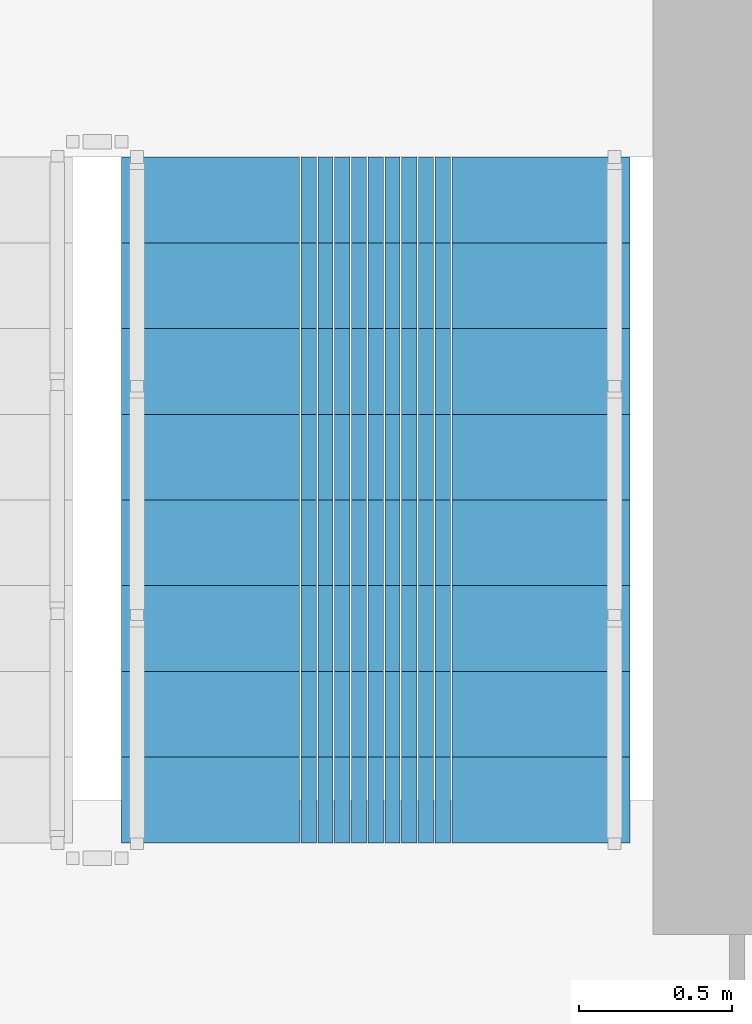
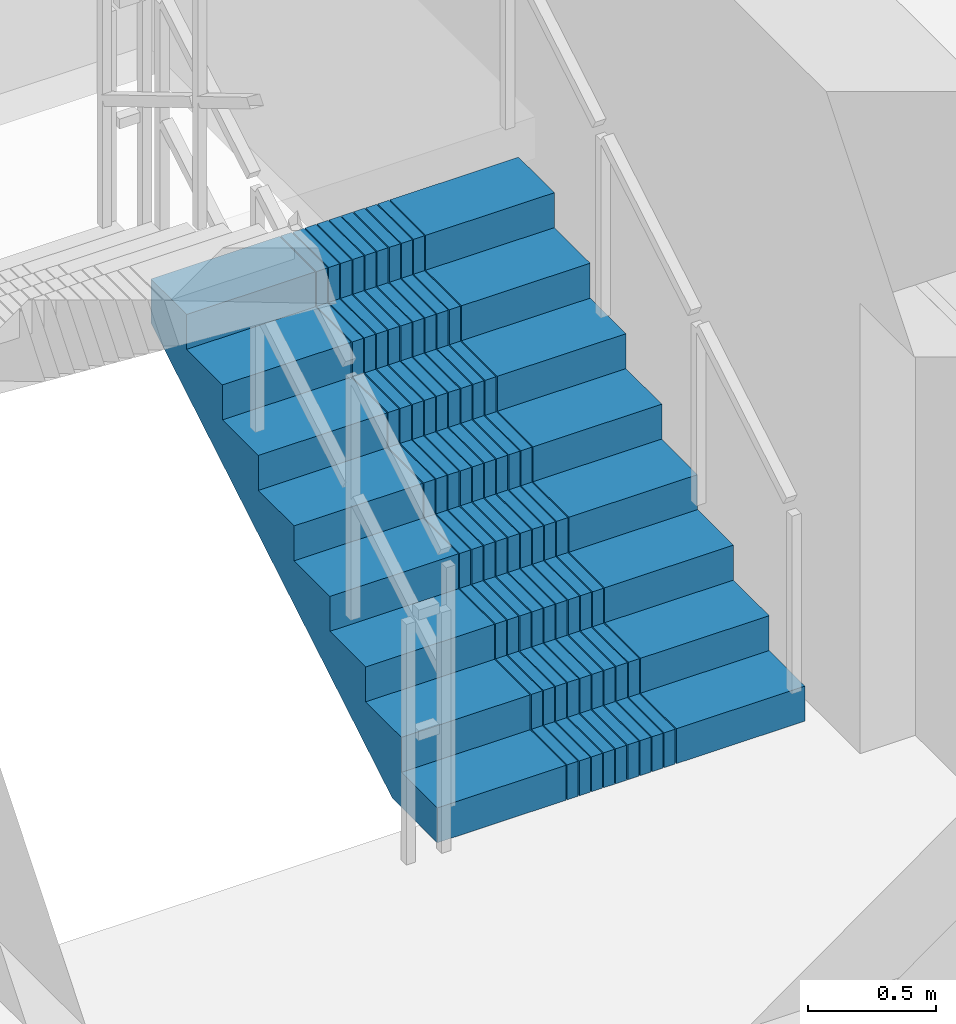
# One storey, part 22 of 26: 1 stair flight, 1 element without a shape of its own.
"""IFC4 building model written with IfcOpenShell, lengths in metres."""

from ifc_helpers import new_model, si_unit, direction, frame, origin, place, context, subcontext, project, spatial, polyline, outline, extrude, material, type_object, element, aggregate, save


model = new_model("IFC4")

# Units and contexts
model_context = context("Model", 3, precision=1e-05, world=origin(), true_north=direction((0.0, 1.0)))
body_context = subcontext(model_context, "Body", "Model", "MODEL_VIEW")
ifc_project = project(units=[si_unit("LENGTHUNIT", "METRE"), si_unit("AREAUNIT", "SQUARE_METRE"), si_unit("VOLUMEUNIT", "CUBIC_METRE"), si_unit("PLANEANGLEUNIT", "RADIAN"), si_unit("MASSUNIT", "GRAM", prefix="KILO")], contexts=[model_context])

# Site, building, storey
site_placement = place(None, origin())
site = spatial("IfcSite", under=ifc_project, at=site_placement, CompositionType="ELEMENT")
building_placement = place(site_placement, origin())
building = spatial("IfcBuilding", under=site, at=building_placement, Name="Saelheon Loggia Tower", CompositionType="ELEMENT")
storey_placement = place(building_placement, frame((0.0, 0.0, 116.85009765625)))
storey = spatial("IfcBuildingStorey", under=building, at=storey_placement, Name="L37", CompositionType="ELEMENT", Elevation=116.85009765625)

# Stair, stair flight
ifc_material = material(Name="Concrete C40/50", Category="concrete")
stair_type = type_object("IfcStairType", Name="Stair_Escape_Core", PredefinedType="HALF_TURN_STAIR", material=ifc_material)
stair_placement = place(storey_placement, origin())
stair = element("IfcStair", 1, at=stair_placement, inside=storey, type_object=stair_type, Name="L37 Special Escape Stair ST2", PredefinedType="HALF_TURN_STAIR")
stair_flight_type = type_object("IfcStairFlightType", Name="StairFlight_Tower_1660", PredefinedType="STRAIGHT", material=ifc_material)
stair_flight_placement = place(storey_placement, frame((43.320068359375, 30.449951171875, 0.0), z_axis=(0.0, 0.0, 1.0), x_axis=(0.0, 1.0, 0.0)))
stair_flight = element("IfcStairFlight", 2, at=stair_flight_placement, type_object=stair_flight_type, Name="ST2 flight 1", NumberOfRisers=9, NumberOfTreads=8, PredefinedType="STRAIGHT", RiserHeight=0.166666667, TreadLength=0.28, context=body_context, shape_type="SweptSolid", body=[
    extrude(outline(polyline([(0.0, 0.0), (0.0, 0.166748046875), (0.280029296875, 0.166748046875), (0.280029296875, 0.333251953125), (0.56005859375, 0.333251953125), (0.56005859375, 0.5), (0.840087890625, 0.5), (0.840087890625, 0.666748046875), (1.1201171875, 0.666748046875), (1.1201171875, 0.833251953125), (1.39990234375, 0.833251953125), (1.39990234375, 1.0), (1.679931640625, 1.0), (1.679931640625, 1.166748046875), (1.9599609375, 1.166748046875), (1.9599609375, 1.333251953125), (2.239990234375, 1.333251953125), (2.239990234375, 1.5), (2.239990234375, 1.1240234375), (0.351806640625, 0.0), (0.0, 0.0)])), frame((0.0, -0.2490234375, 0.0), z_axis=(0.0, -1.0, 0.0), x_axis=(1.0, 0.0, 0.0)), (0.0, 0.0, 1.0), 0.5810546875),
    extrude(outline(polyline([(0.0, 0.0), (0.0, 0.166748046875), (0.280029296875, 0.166748046875), (0.280029296875, 0.333251953125), (0.56005859375, 0.333251953125), (0.56005859375, 0.5), (0.840087890625, 0.5), (0.840087890625, 0.666748046875), (1.1201171875, 0.666748046875), (1.1201171875, 0.833251953125), (1.39990234375, 0.833251953125), (1.39990234375, 1.0), (1.679931640625, 1.0), (1.679931640625, 1.166748046875), (1.9599609375, 1.166748046875), (1.9599609375, 1.333251953125), (2.239990234375, 1.333251953125), (2.239990234375, 1.5), (2.239990234375, 1.1240234375), (0.351806640625, 0.0), (0.0, 0.0)])), frame((0.0, -0.194091796875, 0.0), z_axis=(0.0, -1.0, 0.0), x_axis=(1.0, 0.0, 0.0)), (0.0, 0.0, 1.0), 0.0498046875),
    extrude(outline(polyline([(0.0, 0.0), (0.0, 0.166748046875), (0.280029296875, 0.166748046875), (0.280029296875, 0.333251953125), (0.56005859375, 0.333251953125), (0.56005859375, 0.5), (0.840087890625, 0.5), (0.840087890625, 0.666748046875), (1.1201171875, 0.666748046875), (1.1201171875, 0.833251953125), (1.39990234375, 0.833251953125), (1.39990234375, 1.0), (1.679931640625, 1.0), (1.679931640625, 1.166748046875), (1.9599609375, 1.166748046875), (1.9599609375, 1.333251953125), (2.239990234375, 1.333251953125), (2.239990234375, 1.5), (2.239990234375, 1.1240234375), (0.351806640625, 0.0), (0.0, 0.0)])), frame((0.0, -0.139404296875, 0.0), z_axis=(0.0, -1.0, 0.0), x_axis=(1.0, 0.0, 0.0)), (0.0, 0.0, 1.0), 0.0498046875),
    extrude(outline(polyline([(0.0, 0.0), (0.0, 0.166748046875), (0.280029296875, 0.166748046875), (0.280029296875, 0.333251953125), (0.56005859375, 0.333251953125), (0.56005859375, 0.5), (0.840087890625, 0.5), (0.840087890625, 0.666748046875), (1.1201171875, 0.666748046875), (1.1201171875, 0.833251953125), (1.39990234375, 0.833251953125), (1.39990234375, 1.0), (1.679931640625, 1.0), (1.679931640625, 1.166748046875), (1.9599609375, 1.166748046875), (1.9599609375, 1.333251953125), (2.239990234375, 1.333251953125), (2.239990234375, 1.5), (2.239990234375, 1.1240234375), (0.351806640625, 0.0), (0.0, 0.0)])), frame((0.0, -0.084716796875, 0.0), z_axis=(0.0, -1.0, 0.0), x_axis=(1.0, 0.0, 0.0)), (0.0, 0.0, 1.0), 0.0498046875),
    extrude(outline(polyline([(0.0, 0.0), (0.0, 0.166748046875), (0.280029296875, 0.166748046875), (0.280029296875, 0.333251953125), (0.56005859375, 0.333251953125), (0.56005859375, 0.5), (0.840087890625, 0.5), (0.840087890625, 0.666748046875), (1.1201171875, 0.666748046875), (1.1201171875, 0.833251953125), (1.39990234375, 0.833251953125), (1.39990234375, 1.0), (1.679931640625, 1.0), (1.679931640625, 1.166748046875), (1.9599609375, 1.166748046875), (1.9599609375, 1.333251953125), (2.239990234375, 1.333251953125), (2.239990234375, 1.5), (2.239990234375, 1.1240234375), (0.351806640625, 0.0), (0.0, 0.0)])), frame((0.0, -0.02978515625, 0.0), z_axis=(0.0, -1.0, 0.0), x_axis=(1.0, 0.0, 0.0)), (0.0, 0.0, 1.0), 0.0498046875),
    extrude(outline(polyline([(0.0, 0.0), (0.0, 0.166748046875), (0.280029296875, 0.166748046875), (0.280029296875, 0.333251953125), (0.56005859375, 0.333251953125), (0.56005859375, 0.5), (0.840087890625, 0.5), (0.840087890625, 0.666748046875), (1.1201171875, 0.666748046875), (1.1201171875, 0.833251953125), (1.39990234375, 0.833251953125), (1.39990234375, 1.0), (1.679931640625, 1.0), (1.679931640625, 1.166748046875), (1.9599609375, 1.166748046875), (1.9599609375, 1.333251953125), (2.239990234375, 1.333251953125), (2.239990234375, 1.5), (2.239990234375, 1.1240234375), (0.351806640625, 0.0), (0.0, 0.0)])), frame((0.0, 0.02490234375, 0.0), z_axis=(0.0, -1.0, 0.0), x_axis=(1.0, 0.0, 0.0)), (0.0, 0.0, 1.0), 0.0498046875),
    extrude(outline(polyline([(0.0, 0.0), (0.0, 0.166748046875), (0.280029296875, 0.166748046875), (0.280029296875, 0.333251953125), (0.56005859375, 0.333251953125), (0.56005859375, 0.5), (0.840087890625, 0.5), (0.840087890625, 0.666748046875), (1.1201171875, 0.666748046875), (1.1201171875, 0.833251953125), (1.39990234375, 0.833251953125), (1.39990234375, 1.0), (1.679931640625, 1.0), (1.679931640625, 1.166748046875), (1.9599609375, 1.166748046875), (1.9599609375, 1.333251953125), (2.239990234375, 1.333251953125), (2.239990234375, 1.5), (2.239990234375, 1.1240234375), (0.351806640625, 0.0), (0.0, 0.0)])), frame((0.0, 0.07958984375, 0.0), z_axis=(0.0, -1.0, 0.0), x_axis=(1.0, 0.0, 0.0)), (0.0, 0.0, 1.0), 0.0498046875),
    extrude(outline(polyline([(0.0, 0.0), (0.0, 0.166748046875), (0.280029296875, 0.166748046875), (0.280029296875, 0.333251953125), (0.56005859375, 0.333251953125), (0.56005859375, 0.5), (0.840087890625, 0.5), (0.840087890625, 0.666748046875), (1.1201171875, 0.666748046875), (1.1201171875, 0.833251953125), (1.39990234375, 0.833251953125), (1.39990234375, 1.0), (1.679931640625, 1.0), (1.679931640625, 1.166748046875), (1.9599609375, 1.166748046875), (1.9599609375, 1.333251953125), (2.239990234375, 1.333251953125), (2.239990234375, 1.5), (2.239990234375, 1.1240234375), (0.351806640625, 0.0), (0.0, 0.0)])), frame((0.0, 0.134521484375, 0.0), z_axis=(0.0, -1.0, 0.0), x_axis=(1.0, 0.0, 0.0)), (0.0, 0.0, 1.0), 0.0498046875),
    extrude(outline(polyline([(0.0, 0.0), (0.0, 0.166748046875), (0.280029296875, 0.166748046875), (0.280029296875, 0.333251953125), (0.56005859375, 0.333251953125), (0.56005859375, 0.5), (0.840087890625, 0.5), (0.840087890625, 0.666748046875), (1.1201171875, 0.666748046875), (1.1201171875, 0.833251953125), (1.39990234375, 0.833251953125), (1.39990234375, 1.0), (1.679931640625, 1.0), (1.679931640625, 1.166748046875), (1.9599609375, 1.166748046875), (1.9599609375, 1.333251953125), (2.239990234375, 1.333251953125), (2.239990234375, 1.5), (2.239990234375, 1.1240234375), (0.351806640625, 0.0), (0.0, 0.0)])), frame((0.0, 0.189208984375, 0.0), z_axis=(0.0, -1.0, 0.0), x_axis=(1.0, 0.0, 0.0)), (0.0, 0.0, 1.0), 0.0498046875),
    extrude(outline(polyline([(0.0, 0.0), (0.0, 0.166748046875), (0.280029296875, 0.166748046875), (0.280029296875, 0.333251953125), (0.56005859375, 0.333251953125), (0.56005859375, 0.5), (0.840087890625, 0.5), (0.840087890625, 0.666748046875), (1.1201171875, 0.666748046875), (1.1201171875, 0.833251953125), (1.39990234375, 0.833251953125), (1.39990234375, 1.0), (1.679931640625, 1.0), (1.679931640625, 1.166748046875), (1.9599609375, 1.166748046875), (1.9599609375, 1.333251953125), (2.239990234375, 1.333251953125), (2.239990234375, 1.5), (2.239990234375, 1.1240234375), (0.351806640625, 0.0), (0.0, 0.0)])), frame((0.0, 0.243896484375, 0.0), z_axis=(0.0, -1.0, 0.0), x_axis=(1.0, 0.0, 0.0)), (0.0, 0.0, 1.0), 0.0498046875),
    extrude(outline(polyline([(0.0, 0.0), (0.0, 0.166748046875), (0.280029296875, 0.166748046875), (0.280029296875, 0.333251953125), (0.56005859375, 0.333251953125), (0.56005859375, 0.5), (0.840087890625, 0.5), (0.840087890625, 0.666748046875), (1.1201171875, 0.666748046875), (1.1201171875, 0.833251953125), (1.39990234375, 0.833251953125), (1.39990234375, 1.0), (1.679931640625, 1.0), (1.679931640625, 1.166748046875), (1.9599609375, 1.166748046875), (1.9599609375, 1.333251953125), (2.239990234375, 1.333251953125), (2.239990234375, 1.5), (2.239990234375, 1.1240234375), (0.351806640625, 0.0), (0.0, 0.0)])), frame((0.0, 0.830078125, 0.0), z_axis=(0.0, -1.0, 0.0), x_axis=(1.0, 0.0, 0.0)), (0.0, 0.0, 1.0), 0.5810546875),
])
aggregate(stair, [stair_flight])

save(model, "model.ifc")
